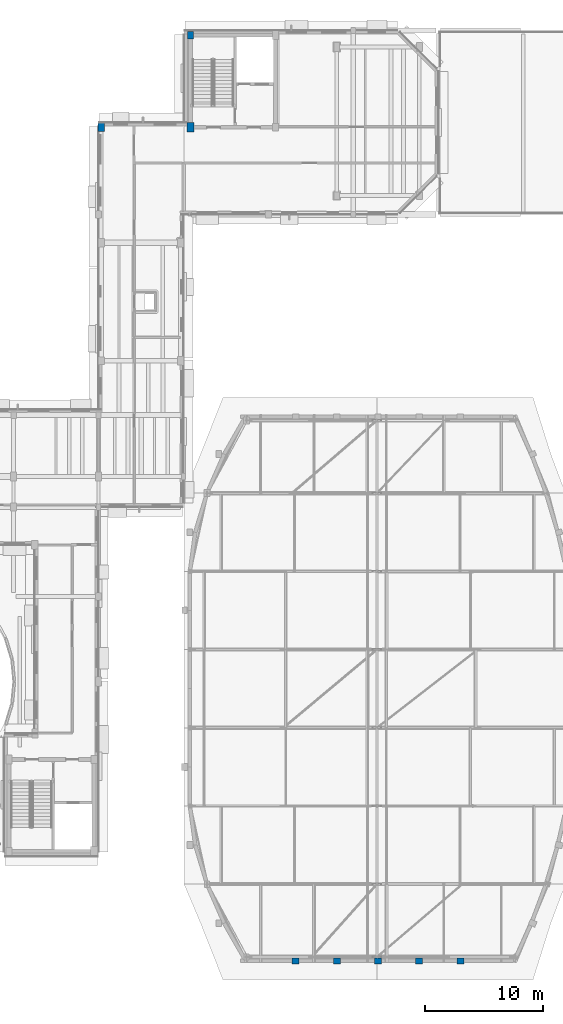
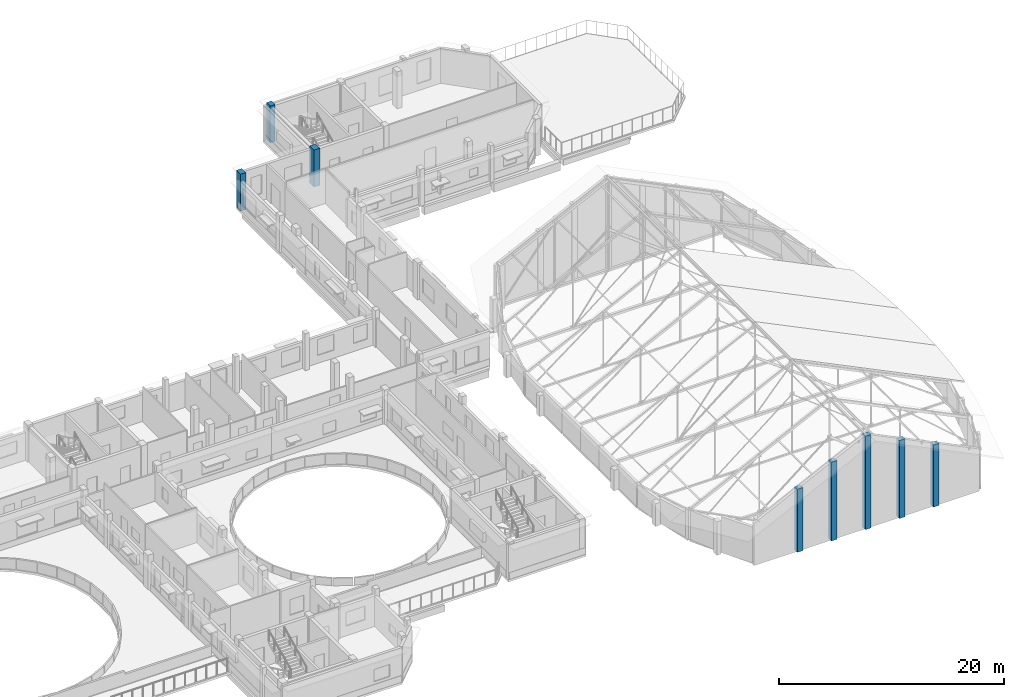
# One storey, part 10 of 78: 8 columns.
"""IFC4 building model written with IfcOpenShell, lengths in metres."""

from ifc_helpers import new_model, si_unit, direction, frame, origin, origin_2d, place, context, subcontext, project, spatial, rectangle, extrude, material, material_profile, profile_set, type_object, element, save


model = new_model("IFC4")

# Units and contexts
model_context = context("Model", 3, precision=1e-05, world=origin(), true_north=direction((0.0, 1.0)))
body_context = subcontext(model_context, "Body", "Model", "MODEL_VIEW")
ifc_project = project(units=[si_unit("LENGTHUNIT", "METRE"), si_unit("AREAUNIT", "SQUARE_METRE"), si_unit("VOLUMEUNIT", "CUBIC_METRE"), si_unit("PLANEANGLEUNIT", "RADIAN"), si_unit("MASSUNIT", "GRAM", prefix="KILO")], contexts=[model_context])

# Site, building, storey
site_placement = place(None, origin())
site = spatial("IfcSite", under=ifc_project, at=site_placement, CompositionType="ELEMENT")
building_placement = place(site_placement, origin())
building = spatial("IfcBuilding", under=site, at=building_placement, Name="Kelanivale Promenade Academy", CompositionType="ELEMENT")
storey_placement = place(building_placement, frame((0.0, 0.0, 16.199951171875)))
storey = spatial("IfcBuildingStorey", under=building, at=storey_placement, Name="L04", CompositionType="ELEMENT", Elevation=16.199951171875)

# Columns
ifc_material = material(Name="Concrete C40/50", Category="concrete")
ifc_material_profile_1 = material_profile(ifc_material, rectangle(XDim=0.5, YDim=0.64990234375, at=origin_2d()), Name="RC-COL 500x650")
ifc_profile_set_1 = profile_set([ifc_material_profile_1], Name="Concrete C40/50")
column_type_1 = type_object("IfcColumnType", Name="C-11 RC-COL 500x650", PredefinedType="COLUMN", material=ifc_profile_set_1)
column_1_placement = place(storey_placement, frame((123.39990234375, 111.60009765625, 0.0), z_axis=(0.0, 0.0, 1.0), x_axis=(1.0, 0.0, 0.0)))
element("IfcColumn", 1, at=column_1_placement, inside=storey, type_object=column_type_1, Name="Column C-11 at (123.4, 111.6) L04", PredefinedType="COLUMN", context=body_context, shape_type="SweptSolid", body=[
    extrude(rectangle(XDim=0.5, YDim=0.64990234375, at=origin_2d()), origin(), (0.0, 0.0, 1.0), 4.0),
])
ifc_material_profile_2 = material_profile(ifc_material, rectangle(XDim=0.550048828125, YDim=0.75, at=origin_2d()), Name="RC-COL 550x750")
ifc_profile_set_2 = profile_set([ifc_material_profile_2], Name="Concrete C40/50")
column_type_2 = type_object("IfcColumnType", Name="C-13 RC-COL 550x750", PredefinedType="COLUMN", material=ifc_profile_set_2)
column_2_placement = place(storey_placement, frame((115.85009765625, 103.800048828125, 0.0), z_axis=(0.0, 0.0, 1.0), x_axis=(1.0, 0.0, 0.0)))
element("IfcColumn", 2, at=column_2_placement, inside=storey, type_object=column_type_2, Name="Column C-13 at (115.8, 103.8) L04", PredefinedType="COLUMN", context=body_context, shape_type="SweptSolid", body=[
    extrude(rectangle(XDim=0.550048828125, YDim=0.75, at=origin_2d()), origin(), (0.0, 0.0, 1.0), 4.0),
])
ifc_material_profile_3 = material_profile(ifc_material, rectangle(XDim=0.60009765625, YDim=0.800048828125, at=origin_2d()), Name="RC-COL 600x800")
ifc_profile_set_3 = profile_set([ifc_material_profile_3], Name="Concrete C40/50")
column_type_3 = type_object("IfcColumnType", Name="C-14 RC-COL 600x800", PredefinedType="COLUMN", material=ifc_profile_set_3)
column_3_placement = place(storey_placement, frame((123.39990234375, 103.800048828125, 0.0), z_axis=(0.0, 0.0, 1.0), x_axis=(1.0, 0.0, 0.0)))
element("IfcColumn", 3, at=column_3_placement, inside=storey, type_object=column_type_3, Name="Column C-14 at (123.4, 103.8) L04", PredefinedType="COLUMN", context=body_context, shape_type="SweptSolid", body=[
    extrude(rectangle(XDim=0.60009765625, YDim=0.800048828125, at=origin_2d()), origin(), (0.0, 0.0, 1.0), 4.0),
])
ifc_material_profile_4 = material_profile(ifc_material, rectangle(XDim=0.5, YDim=0.60009765625, at=origin_2d()), Name="RC-PIL 500x600")
ifc_profile_set_4 = profile_set([ifc_material_profile_4], Name="Concrete C40/50")
column_type_4 = type_object("IfcColumnType", Name="PL-18 RC-PIL 500x600", PredefinedType="PILASTER", material=ifc_profile_set_4)
column_4_placement = place(storey_placement, frame((132.30810546875, 33.1201171875, 0.0), z_axis=(0.0, 0.0, 1.0), x_axis=(0.0, 1.0, 0.0)))
element("IfcColumn", 4, at=column_4_placement, inside=storey, type_object=column_type_4, Name="Column PL-18 at (132.3, 33.1) L04", PredefinedType="PILASTER", context=body_context, shape_type="SweptSolid", body=[
    extrude(rectangle(XDim=0.5, YDim=0.60009765625, at=origin_2d()), origin(), (0.0, 0.0, 1.0), 6.825927734375),
])
column_5_placement = place(storey_placement, frame((135.801025390625, 33.1201171875, 0.0), z_axis=(0.0, 0.0, 1.0), x_axis=(0.0, 1.0, 0.0)))
element("IfcColumn", 5, at=column_5_placement, inside=storey, type_object=column_type_4, Name="Column PL-18 at (135.8, 33.1) L04", PredefinedType="PILASTER", context=body_context, shape_type="SweptSolid", body=[
    extrude(rectangle(XDim=0.5, YDim=0.60009765625, at=origin_2d()), origin(), (0.0, 0.0, 1.0), 8.531982421875),
])
column_6_placement = place(storey_placement, frame((139.2939453125, 33.1201171875, 0.0), z_axis=(0.0, 0.0, 1.0), x_axis=(0.0, 1.0, 0.0)))
element("IfcColumn", 6, at=column_6_placement, inside=storey, type_object=column_type_4, Name="Column PL-18 at (139.3, 33.1) L04", PredefinedType="PILASTER", context=body_context, shape_type="SweptSolid", body=[
    extrude(rectangle(XDim=0.5, YDim=0.60009765625, at=origin_2d()), origin(), (0.0, 0.0, 1.0), 10.14599609375),
])
column_7_placement = place(storey_placement, frame((142.787109375, 33.1201171875, 0.0), z_axis=(0.0, 0.0, 1.0), x_axis=(0.0, 1.0, 0.0)))
element("IfcColumn", 7, at=column_7_placement, inside=storey, type_object=column_type_4, Name="Column PL-18 at (142.8, 33.1) L04", PredefinedType="PILASTER", context=body_context, shape_type="SweptSolid", body=[
    extrude(rectangle(XDim=0.5, YDim=0.60009765625, at=origin_2d()), origin(), (0.0, 0.0, 1.0), 8.43994140625),
])
column_8_placement = place(storey_placement, frame((146.280029296875, 33.1201171875, 0.0), z_axis=(0.0, 0.0, 1.0), x_axis=(0.0, 1.0, 0.0)))
element("IfcColumn", 8, at=column_8_placement, inside=storey, type_object=column_type_4, Name="Column PL-18 at (146.3, 33.1) L04", PredefinedType="PILASTER", context=body_context, shape_type="SweptSolid", body=[
    extrude(rectangle(XDim=0.5, YDim=0.60009765625, at=origin_2d()), origin(), (0.0, 0.0, 1.0), 6.734130859375),
])

save(model, "model.ifc")
